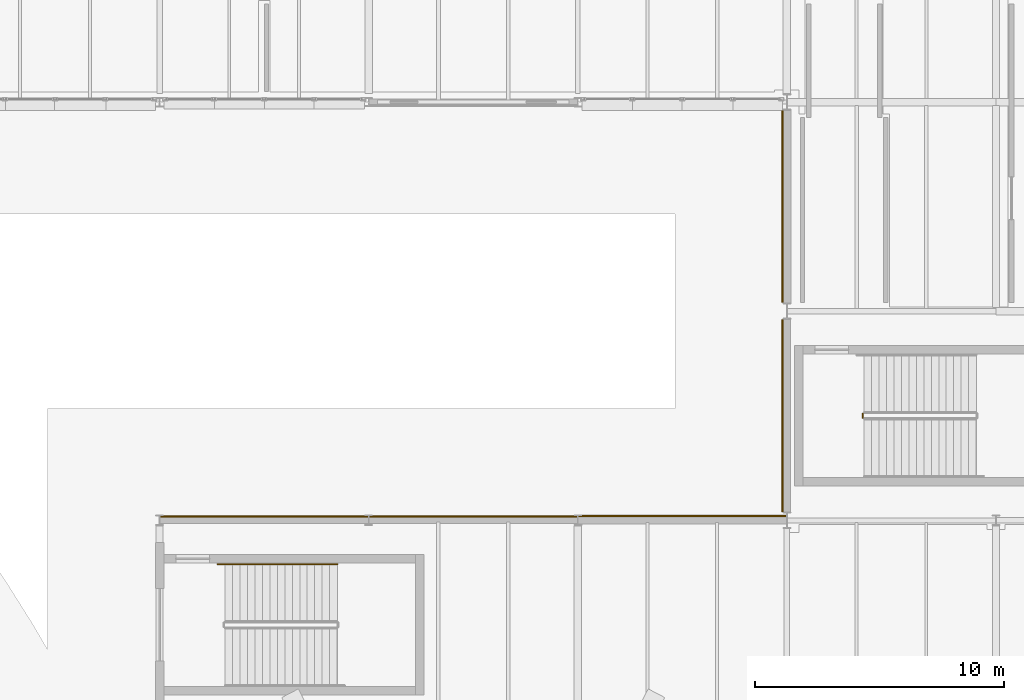
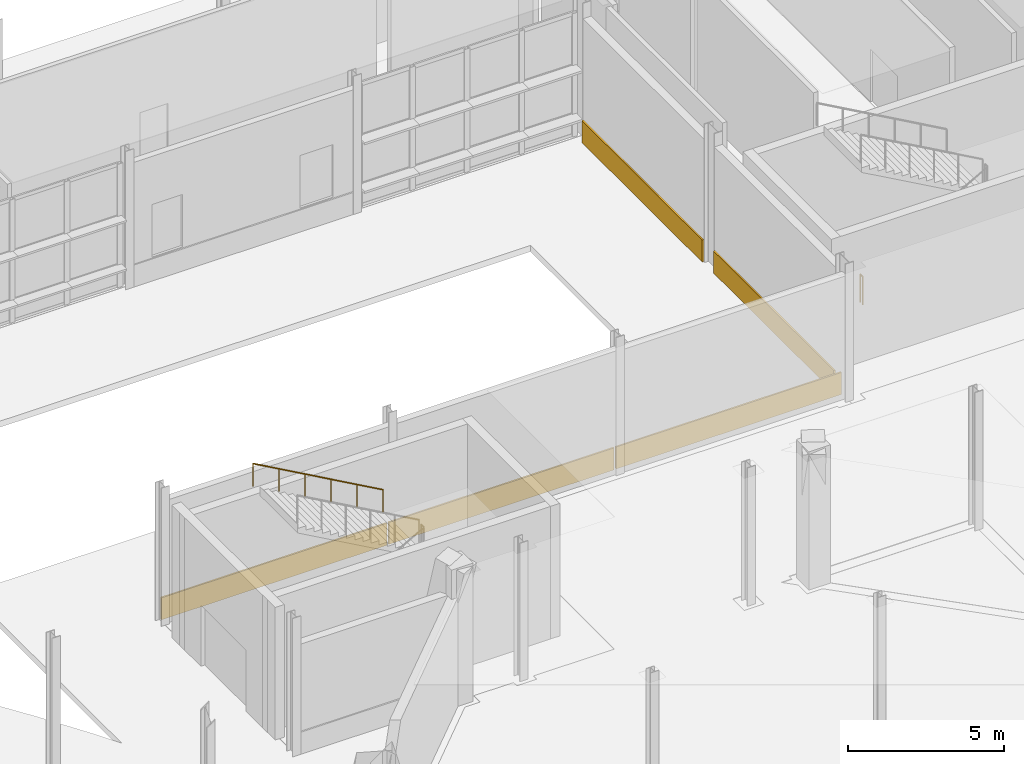
# One storey, part 103 of 124: 5 coverings, 2 railings.
"""IFC4 building model written with IfcOpenShell, lengths in metres."""

from ifc_helpers import new_model, si_unit, direction, frame, origin, origin_2d, place, context, subcontext, project, spatial, rectangle, circle, extrude, material, layer, layer_set, type_object, element, save


model = new_model("IFC4")

# Units and contexts
model_context = context("Model", 3, precision=1e-05, world=origin(), true_north=direction((0.0, 1.0)))
body_context = subcontext(model_context, "Body", "Model", "MODEL_VIEW")
ifc_project = project(units=[si_unit("LENGTHUNIT", "METRE"), si_unit("AREAUNIT", "SQUARE_METRE"), si_unit("VOLUMEUNIT", "CUBIC_METRE"), si_unit("PLANEANGLEUNIT", "RADIAN"), si_unit("MASSUNIT", "GRAM", prefix="KILO")], contexts=[model_context])

# Site, building, storey
site_placement = place(None, origin())
site = spatial("IfcSite", under=ifc_project, at=site_placement, CompositionType="ELEMENT")
building_placement = place(site_placement, origin())
building = spatial("IfcBuilding", under=site, at=building_placement, Name="Mersafa Astral City Hall", CompositionType="ELEMENT")
storey_placement = place(building_placement, origin())
storey = spatial("IfcBuildingStorey", under=building, at=storey_placement, Name="L00", CompositionType="ELEMENT", Elevation=0.0)

# Coverings
ifc_material_1 = material(Name="Cairo Mokattam buff limestone cladding", Category="masonry")
ifc_layer = layer(ifc_material_1, 0.06005859375, Name="Cairo Mokattam buff limestone cladding")
ifc_layer_set = layer_set([ifc_layer], Name="Cairo Mokattam buff limestone cladding — ENV-COV-LIMESTONE-60")
covering_type = type_object("IfcCoveringType", Name="ENV-COV-LIMESTONE-60", PredefinedType="CLADDING", material=ifc_layer_set)
for number, where, z_axis, x_axis, name in (
    (1, (92.222900390625, 46.199951171875, 0.0), (0.0, 0.0, 1.0), (0.0, -1.0, 0.0), "L00 Cairo buff limestone rainscreen cladding 54"),
    (2, (92.23046875, 37.800048828125, 0.0), (0.0, 0.0, 1.0), (0.0, -1.0, 0.0), "L00 Cairo buff limestone rainscreen cladding 55"),
):
    element("IfcCovering", number, at=place(storey_placement, frame(where, z_axis=z_axis, x_axis=x_axis)), inside=storey, type_object=covering_type, Name=name, PredefinedType="CLADDING", context=body_context, shape_type="SweptSolid", body=[
        extrude(rectangle(XDim=7.697998046875, YDim=0.06005859375, at=origin_2d()), origin(), (0.0, 0.0, 1.0), 0.860107421875),
    ])
for number, where, z_axis, x_axis, name in (
    (3, (88.199951171875, 33.761962890625, 0.0), (0.0, 0.0, 1.0), (-1.0, 0.0, 0.0), "L00 Cairo buff limestone rainscreen cladding 56"),
    (4, (79.800048828125, 33.75439453125, 0.0), (0.0, 0.0, 1.0), (-1.0, 0.0, 0.0), "L00 Cairo buff limestone rainscreen cladding 57"),
    (5, (71.39990234375, 33.7470703125, 0.0), (0.0, 0.0, 1.0), (-1.0, 0.0, 0.0), "L00 Cairo buff limestone rainscreen cladding 58"),
):
    element("IfcCovering", number, at=place(storey_placement, frame(where, z_axis=z_axis, x_axis=x_axis)), inside=storey, type_object=covering_type, Name=name, PredefinedType="CLADDING", context=body_context, shape_type="SweptSolid", body=[
        extrude(rectangle(XDim=8.323974609375, YDim=0.06005859375, at=origin_2d()), origin(), (0.0, 0.0, 1.0), 0.860107421875),
    ])

# Railings
ifc_material_2 = material(Name="Painted architectural steel stair guard balustrade", Category="steel")
railing_type_1 = type_object("IfcRailingType", Name="GUARD-RAIL", PredefinedType="BALUSTRADE", material=ifc_material_2)
railing_1_placement = place(storey_placement, frame((95.449951171875, 37.719970703125, 0.0)))
element("IfcRailing", 6, at=railing_1_placement, inside=storey, type_object=railing_type_1, Name="L00 ST8 stair guard 4", PredefinedType="BALUSTRADE", context=body_context, shape_type="SweptSolid", body=[
    extrude(circle(Radius=0.02392578125, at=origin_2d()), frame((0.0, 0.0, 1.09619140625), z_axis=(0.0, 1.0, 0.0), x_axis=(-1.0, 0.0, 0.0)), (0.0, 0.0, 1.0), 0.159912109375),
    extrude(circle(Radius=0.02099609375, at=origin_2d()), origin(), (0.0, 0.0, 1.0), 1.072021484375),
    extrude(circle(Radius=0.02099609375, at=origin_2d()), frame((0.0, 0.159912109375, 0.0)), (0.0, 0.0, 1.0), 1.072021484375),
])
ifc_material_3 = material(Name="Brushed stainless steel tubular handrail", Category="steel")
railing_type_2 = type_object("IfcRailingType", Name="HANDRAIL", PredefinedType="HANDRAIL", material=ifc_material_3)
railing_2_placement = place(storey_placement, frame((74.330078125, 31.830078125, 2.86865234375)))
element("IfcRailing", 7, at=railing_2_placement, inside=storey, type_object=railing_type_2, Name="L00 ST7 stair handrail 2", PredefinedType="HANDRAIL", context=body_context, shape_type="SweptSolid", body=[
    extrude(circle(Radius=0.02392578125, at=origin_2d()), frame((0.0, 0.0, 0.8759765625), z_axis=(-0.871335168691, 0.0, 0.49068831635), x_axis=(0.0, -1.0, 0.0)), (0.0, 0.0, 1.0), 5.5087890625),
    extrude(circle(Radius=0.02099609375, at=origin_2d()), origin(), (0.0, 0.0, 1.0), 0.851806640625),
    extrude(circle(Radius=0.02099609375, at=origin_2d()), frame((-0.9599609375, 0.0, 0.54052734375)), (0.0, 0.0, 1.0), 0.851806640625),
    extrude(circle(Radius=0.02099609375, at=origin_2d()), frame((-1.919921875, 0.0, 1.081298828125)), (0.0, 0.0, 1.0), 0.851806640625),
    extrude(circle(Radius=0.02099609375, at=origin_2d()), frame((-2.880126953125, 0.0, 1.621826171875)), (0.0, 0.0, 1.0), 0.851806640625),
    extrude(circle(Radius=0.02099609375, at=origin_2d()), frame((-3.840087890625, 0.0, 2.16259765625)), (0.0, 0.0, 1.0), 0.851806640625),
    extrude(circle(Radius=0.02099609375, at=origin_2d()), frame((-4.800048828125, 0.0, 2.703125)), (0.0, 0.0, 1.0), 0.851806640625),
])

save(model, "model.ifc")
